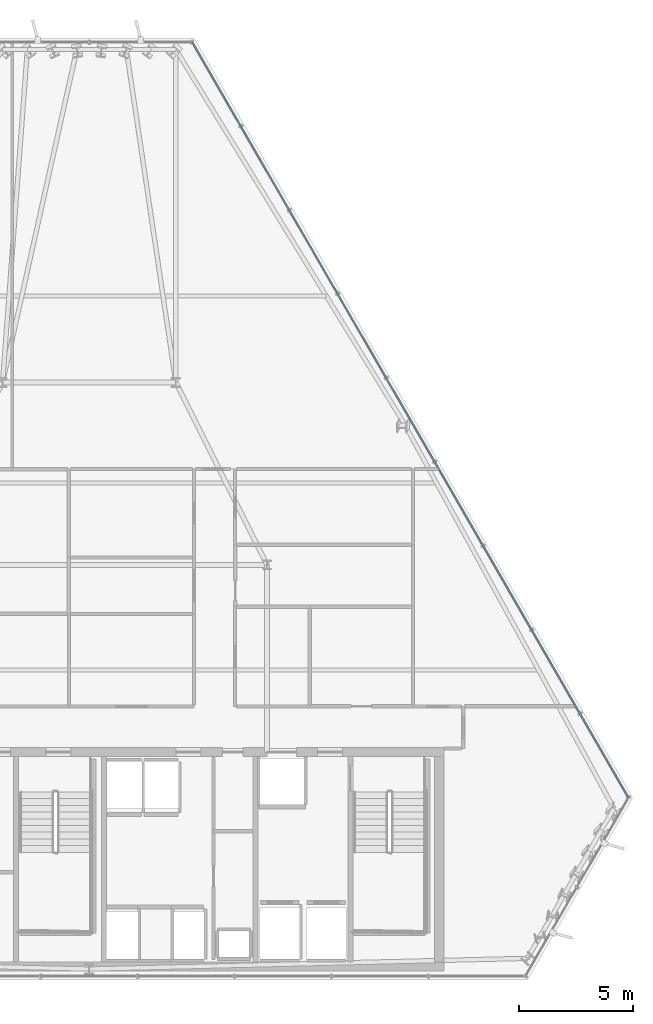
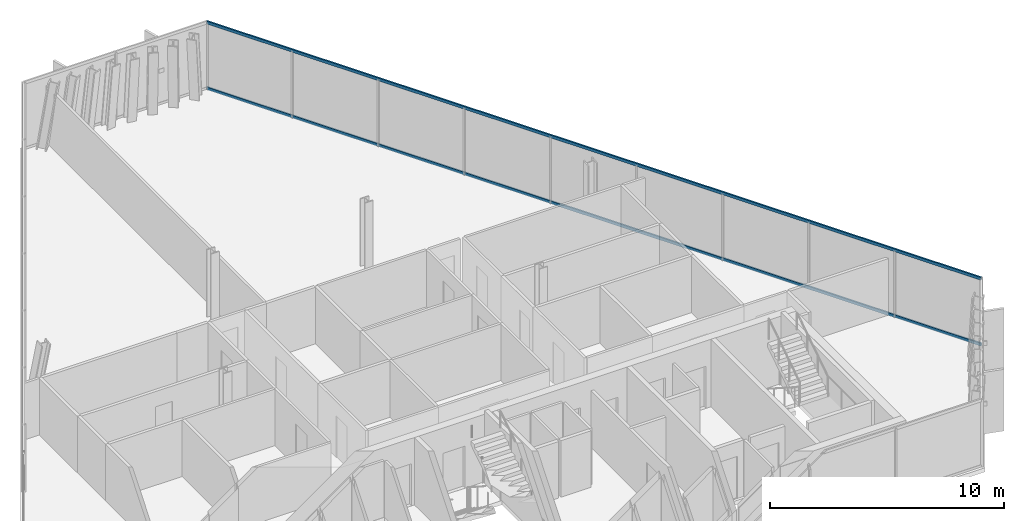
# One storey, part 18 of 34: 2 members, 1 element without a shape of its own.
"""IFC4 building model written with IfcOpenShell, lengths in metres."""

from ifc_helpers import new_model, si_unit, direction, frame, origin, origin_2d, place, context, subcontext, project, spatial, hollow_rectangle, extrude, material, layer, layer_set, material_profile, profile_set, type_object, element, aggregate, save


model = new_model("IFC4")

# Units and contexts
model_context = context("Model", 3, precision=1e-05, world=origin(), true_north=direction((0.0, 1.0)))
body_context = subcontext(model_context, "Body", "Model", "MODEL_VIEW")
ifc_project = project(units=[si_unit("LENGTHUNIT", "METRE"), si_unit("AREAUNIT", "SQUARE_METRE"), si_unit("VOLUMEUNIT", "CUBIC_METRE"), si_unit("PLANEANGLEUNIT", "RADIAN"), si_unit("MASSUNIT", "GRAM", prefix="KILO")], contexts=[model_context])

# Site, building, storey
site_placement = place(None, origin())
site = spatial("IfcSite", under=ifc_project, at=site_placement, CompositionType="ELEMENT")
building_placement = place(site_placement, origin())
building = spatial("IfcBuilding", under=site, at=building_placement, Name="Ndaravel Arena Tower", CompositionType="ELEMENT")
storey_placement = place(building_placement, frame((0.0, 0.0, 199.199951171875)))
storey = spatial("IfcBuildingStorey", under=building, at=storey_placement, Name="L48", CompositionType="ELEMENT", Elevation=199.199951171875)

# Curtain wall, members
ifc_material_1 = material(Name="Aluminium", Category="aluminium")
ifc_layer = layer(ifc_material_1, 0.179931640625)
ifc_layer_set = layer_set([ifc_layer], Name="Aluminium")
curtain_wall_type = type_object("IfcCurtainWallType", Name="CW-SYS-03", PredefinedType="NOTDEFINED", material=ifc_layer_set)
curtain_wall_placement = place(storey_placement, origin())
curtain_wall = element("IfcCurtainWall", 1, at=curtain_wall_placement, inside=storey, type_object=curtain_wall_type, Name="L48 Faceted Crystal Curtain Wall CW-L48-E03", PredefinedType="NOTDEFINED")
ifc_material_2 = material(Name="Aluminium", Category="aluminium")
ifc_material_profile = material_profile(ifc_material_2, hollow_rectangle(XDim=0.074951171875, YDim=0.14990234375, WallThickness=0.00390625, at=origin_2d()), Name="CW TRANSOM 75x150x4")
ifc_profile_set = profile_set([ifc_material_profile], Name="Aluminium")
member_type = type_object("IfcMemberType", Name="MEM-CW-TRN150", PredefinedType="USERDEFINED", material=ifc_profile_set)
member_1_placement = place(storey_placement, frame((65.651611328125, 12.994140625, 0.0400390625), z_axis=(-0.499999759107, 0.866025542864, 0.0), x_axis=(-0.866025542864, -0.499999759107, 0.0)))
member_1 = element("IfcMember", 2, at=member_1_placement, type_object=member_type, Name="CW-L48-E03 Transom 01", ObjectType="TRANSOM", PredefinedType="USERDEFINED", context=body_context, shape_type="SweptSolid", body=[
    extrude(hollow_rectangle(XDim=0.074951171875, YDim=0.14990234375, WallThickness=0.00390625, at=origin_2d()), origin(), (0.0, 0.0, 1.0), 38.25732421875),
])
member_2_placement = place(storey_placement, frame((65.651611328125, 12.994140625, 3.47998046875), z_axis=(-0.499999759107, 0.866025542864, 0.0), x_axis=(-0.866025542864, -0.499999759107, 0.0)))
member_2 = element("IfcMember", 3, at=member_2_placement, type_object=member_type, Name="CW-L48-E03 Transom 02", ObjectType="TRANSOM", PredefinedType="USERDEFINED", context=body_context, shape_type="SweptSolid", body=[
    extrude(hollow_rectangle(XDim=0.074951171875, YDim=0.14990234375, WallThickness=0.00390625, at=origin_2d()), origin(), (0.0, 0.0, 1.0), 38.25732421875),
])
aggregate(curtain_wall, [member_1, member_2])

save(model, "model.ifc")
